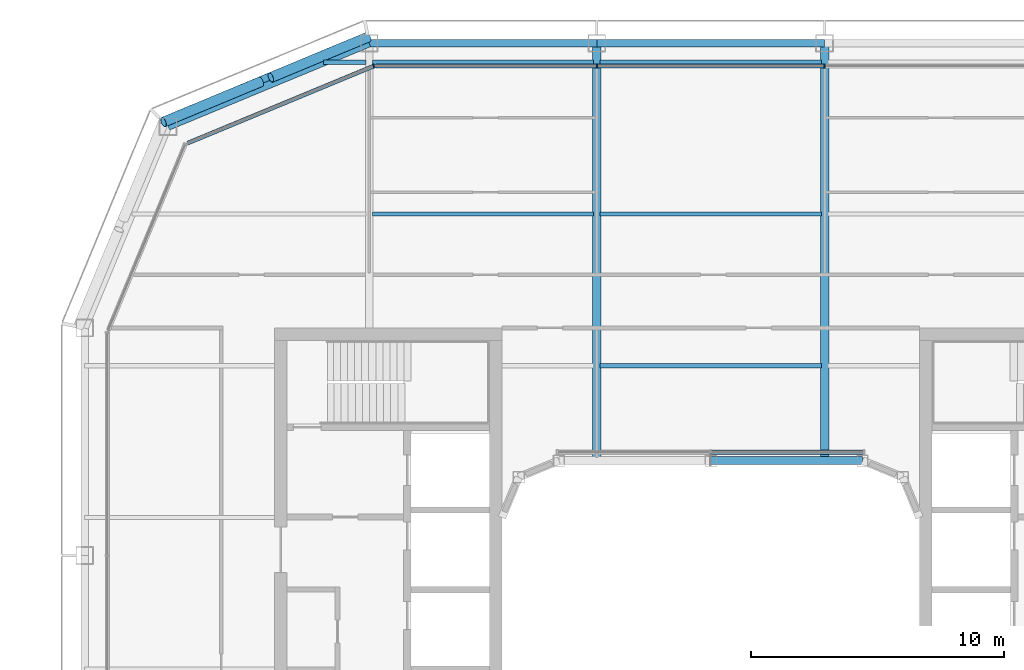
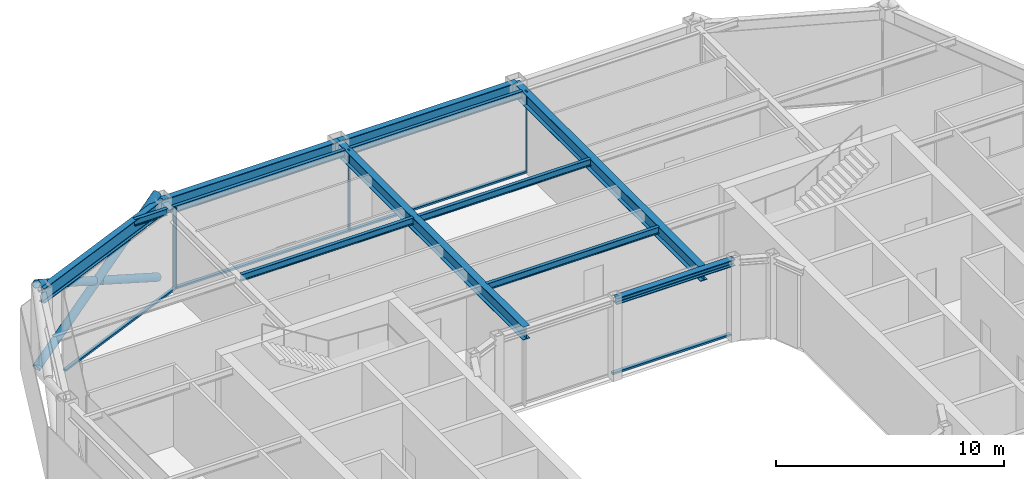
# One storey, part 8 of 21: 12 beams, 10 members, 3 elements without a shape of their own.
"""IFC4 building model written with IfcOpenShell, lengths in metres."""

from ifc_helpers import new_model, si_unit, direction, frame, origin, origin_2d, place, context, subcontext, project, spatial, rectangle, hollow_circle, i_section, extrude, material, layer, layer_set, material_profile, profile_set, type_object, element, aggregate, save


model = new_model("IFC4")

# Units and contexts
model_context = context("Model", 3, precision=1e-05, world=origin(), true_north=direction((0.0, 1.0)))
body_context = subcontext(model_context, "Body", "Model", "MODEL_VIEW")
ifc_project = project(units=[si_unit("LENGTHUNIT", "METRE"), si_unit("AREAUNIT", "SQUARE_METRE"), si_unit("VOLUMEUNIT", "CUBIC_METRE"), si_unit("PLANEANGLEUNIT", "RADIAN"), si_unit("MASSUNIT", "GRAM", prefix="KILO")], contexts=[model_context])

# Site, building, storey
site_placement = place(None, origin())
site = spatial("IfcSite", under=ifc_project, at=site_placement, CompositionType="ELEMENT")
building_placement = place(site_placement, origin())
building = spatial("IfcBuilding", under=site, at=building_placement, Name="Siwar Civic Tower", CompositionType="ELEMENT")
storey_placement = place(building_placement, frame((0.0, 0.0, 334.699951171875)))
storey = spatial("IfcBuildingStorey", under=building, at=storey_placement, Name="L72", CompositionType="ELEMENT", Elevation=334.699951171875)

# Curtain wall, members
ifc_material_1 = material(Name="Aluminium and glass", Category="aluminium")
ifc_layer_1 = layer(ifc_material_1, 0.159912109375)
ifc_layer_set_1 = layer_set([ifc_layer_1], Name="Aluminium and glass")
curtain_wall_type_1 = type_object("IfcCurtainWallType", Name="ENV-CW-D", PredefinedType="NOTDEFINED", material=ifc_layer_set_1)
curtain_wall_1_placement = place(storey_placement, origin())
curtain_wall_1 = element("IfcCurtainWall", 1, at=curtain_wall_1_placement, inside=storey, type_object=curtain_wall_type_1, Name="Curtain wall D N", PredefinedType="NOTDEFINED")
ifc_material_2 = material(Name="Aluminium 6063-T6", Category="aluminium")
ifc_material_profile_1 = material_profile(ifc_material_2, rectangle(XDim=0.159912109375, YDim=0.06005859375, at=origin_2d()), Name="AL 160x60")
ifc_profile_set_1 = profile_set([ifc_material_profile_1], Name="Aluminium 6063-T6")
member_type_1 = type_object("IfcMemberType", Name="ENV-MULLION-D", PredefinedType="MULLION", material=ifc_profile_set_1)
member_1_placement = place(storey_placement, frame((4.5, 23.85009765625, 0.0), z_axis=(0.0, 0.0, 1.0), x_axis=(0.0, -1.0, 0.0)))
member_1 = element("IfcMember", 2, at=member_1_placement, type_object=member_type_1, Name="Mullion D N 2", PredefinedType="MULLION", context=body_context, shape_type="SweptSolid", body=[
    extrude(rectangle(XDim=0.159912109375, YDim=0.06005859375, at=origin_2d()), origin(), (0.0, 0.0, 1.0), 4.35009765625),
])
member_2_placement = place(storey_placement, frame((-4.5, 23.85009765625, 0.0), z_axis=(0.0, 0.0, 1.0), x_axis=(0.0, -1.0, 0.0)))
member_2 = element("IfcMember", 3, at=member_2_placement, type_object=member_type_1, Name="Mullion D N 3", PredefinedType="MULLION", context=body_context, shape_type="SweptSolid", body=[
    extrude(rectangle(XDim=0.159912109375, YDim=0.06005859375, at=origin_2d()), origin(), (0.0, 0.0, 1.0), 4.35009765625),
])

# Curtain wall, member
ifc_material_3 = material(Name="Aluminium clad insulated panel", Category="aluminium")
ifc_layer_2 = layer(ifc_material_3, 0.159912109375)
ifc_layer_set_2 = layer_set([ifc_layer_2], Name="Aluminium clad insulated panel")
curtain_wall_type_2 = type_object("IfcCurtainWallType", Name="ENV-CW-DX", PredefinedType="NOTDEFINED", material=ifc_layer_set_2)
curtain_wall_2_placement = place(storey_placement, origin())
curtain_wall_2 = element("IfcCurtainWall", 4, at=curtain_wall_2_placement, inside=storey, type_object=curtain_wall_type_2, Name="Curtain wall D NW1", PredefinedType="NOTDEFINED")
member_3_placement = place(storey_placement, frame((-13.321044921875, 23.85009765625, 0.0), z_axis=(0.0, 0.0, 1.0), x_axis=(0.382683432365, -0.923879532511, 0.0)))
member_3 = element("IfcMember", 5, at=member_3_placement, type_object=member_type_1, Name="Mullion D NW1 1", PredefinedType="MULLION", context=body_context, shape_type="SweptSolid", body=[
    extrude(rectangle(XDim=0.159912109375, YDim=0.06005859375, at=origin_2d()), origin(), (0.0, 0.0, 1.0), 4.35009765625),
])

# Member
ifc_material_4 = material(Name="Aluminium 6063-T6", Category="aluminium")
ifc_material_profile_2 = material_profile(ifc_material_4, rectangle(XDim=0.159912109375, YDim=0.10009765625, at=origin_2d()), Name="AL 160x100")
ifc_profile_set_2 = profile_set([ifc_material_profile_2], Name="Aluminium 6063-T6")
member_type_2 = type_object("IfcMemberType", Name="ENV-TRANSOM-D", PredefinedType="USERDEFINED", material=ifc_profile_set_2)
member_4_placement = place(storey_placement, frame((4.469970703125, 23.85009765625, 0.050048828125), z_axis=(-1.0, 0.0, 0.0), x_axis=(0.0, -1.0, 0.0)))
member_4 = element("IfcMember", 6, at=member_4_placement, type_object=member_type_2, Name="Transom D N 2", ObjectType="TRANSOM", PredefinedType="USERDEFINED", context=body_context, shape_type="SweptSolid", body=[
    extrude(rectangle(XDim=0.159912109375, YDim=0.10009765625, at=origin_2d()), origin(), (0.0, 0.0, 1.0), 8.93994140625),
])

member_5_placement = place(storey_placement, frame((-4.530029296875, 23.85009765625, 0.050048828125), z_axis=(-1.0, 0.0, 0.0), x_axis=(0.0, -1.0, 0.0)))
member_5 = element("IfcMember", 7, at=member_5_placement, type_object=member_type_2, Name="Transom D N 3", ObjectType="TRANSOM", PredefinedType="USERDEFINED", context=body_context, shape_type="SweptSolid", body=[
    extrude(rectangle(XDim=0.159912109375, YDim=0.10009765625, at=origin_2d()), origin(), (0.0, 0.0, 1.0), 8.693115234375),
])

aggregate(curtain_wall_1, [member_1, member_2, member_4, member_5])

member_6_placement = place(storey_placement, frame((-13.3486328125, 23.838623046875, 0.050048828125), z_axis=(-0.923872756612, -0.382699790424, 0.0), x_axis=(0.382699790424, -0.923872756612, 0.0)))
member_6 = element("IfcMember", 8, at=member_6_placement, type_object=member_type_2, Name="Transom D NW1 1", ObjectType="TRANSOM", PredefinedType="USERDEFINED", context=body_context, shape_type="SweptSolid", body=[
    extrude(rectangle(XDim=0.159912109375, YDim=0.10009765625, at=origin_2d()), origin(), (0.0, 0.0, 1.0), 7.930908203125),
])

aggregate(curtain_wall_2, [member_3, member_6])

# Curtain wall, member
ifc_material_5 = material(Name="Aluminium and glass", Category="aluminium")
ifc_layer_3 = layer(ifc_material_5, 0.179931640625)
ifc_layer_set_3 = layer_set([ifc_layer_3], Name="Aluminium and glass")
curtain_wall_type_3 = type_object("IfcCurtainWallType", Name="ENV-CW-W", PredefinedType="NOTDEFINED", material=ifc_layer_set_3)
curtain_wall_3_placement = place(storey_placement, origin())
curtain_wall_3 = element("IfcCurtainWall", 9, at=curtain_wall_3_placement, inside=storey, type_object=curtain_wall_type_3, Name="Curtain wall W WN", PredefinedType="NOTDEFINED")
ifc_material_6 = material(Name="Aluminium 6063-T6", Category="aluminium")
ifc_material_profile_3 = material_profile(ifc_material_6, rectangle(XDim=0.179931640625, YDim=0.10009765625, at=origin_2d()), Name="AL 180x100")
ifc_profile_set_3 = profile_set([ifc_material_profile_3], Name="Aluminium 6063-T6")
member_type_3 = type_object("IfcMemberType", Name="ENV-TRANSOM-W", PredefinedType="USERDEFINED", material=ifc_profile_set_3)
member_7_placement = place(storey_placement, frame((6.03662109375, 8.5849609375, 0.050048828125), z_axis=(-1.0, 0.0, 0.0), x_axis=(0.0, -1.0, 0.0)))
member_7 = element("IfcMember", 10, at=member_7_placement, type_object=member_type_3, Name="Transom W WN 1", ObjectType="TRANSOM", PredefinedType="USERDEFINED", context=body_context, shape_type="SweptSolid", body=[
    extrude(rectangle(XDim=0.179931640625, YDim=0.10009765625, at=origin_2d()), origin(), (0.0, 0.0, 1.0), 6.006591796875),
])
aggregate(curtain_wall_3, [member_7])

# Members
ifc_material_7 = material(Name="Steel S355", Category="steel")
ifc_material_profile_4 = material_profile(ifc_material_7, hollow_circle(Radius=0.203125, WallThickness=0.01611328125, at=origin_2d()), Name="CHS406.4x16")
ifc_profile_set_4 = profile_set([ifc_material_profile_4], Name="Steel S355")
member_type_4 = type_object("IfcMemberType", Name="STR-BR-CHS406.4x16", PredefinedType="BRACE", material=ifc_profile_set_4)
member_8_placement = place(storey_placement, frame((-21.6318359375, 21.6318359375, 0.0), z_axis=(0.821142553604, 0.341671493852, 0.457149315816), x_axis=(-0.384163874976, 0.923264922524, 0.0)))
element("IfcMember", 11, at=member_8_placement, inside=storey, type_object=member_type_4, Name="L72/brc/DNW1-11-0-0", PredefinedType="BRACE", context=body_context, shape_type="SweptSolid", body=[
    extrude(hollow_circle(Radius=0.203125, WallThickness=0.01611328125, at=origin_2d()), origin(), (0.0, 0.0, 1.0), 9.843505859375),
])
for number, where, z_axis, x_axis, name in (
    (12, (-13.548828125, 24.9951171875, 0.0), (-0.821130093572, -0.341659024948, 0.45718101459), (0.384156893273, -0.923267827529, 0.0), "L72/brc/DNW1-11-0-4"),
    (13, (-17.791259765625, 23.229736328125, 2.362060546875), (-0.821166691915, -0.341652533125, 0.457120127208), (0.38413607648, -0.923276488787, 0.0), "L72/brc/DNW1-11-0-5"),
):
    element("IfcMember", number, at=place(storey_placement, frame(where, z_axis=z_axis, x_axis=x_axis)), inside=storey, type_object=member_type_4, Name=name, PredefinedType="BRACE", context=body_context, shape_type="SweptSolid", body=[
        extrude(hollow_circle(Radius=0.203125, WallThickness=0.01611328125, at=origin_2d()), origin(), (0.0, 0.0, 1.0), 4.677001953125),
    ])

# Beams
ifc_material_8 = material(Name="Steel S355", Category="steel")
ifc_material_profile_5 = material_profile(ifc_material_8, i_section(OverallWidth=0.169921875, OverallDepth=0.360107421875, WebThickness=0.008056640625, FlangeThickness=0.0126953125, FilletRadius=0.01806640625, at=origin_2d()), Name="IPE360")
ifc_profile_set_5 = profile_set([ifc_material_profile_5], Name="Steel S355")
beam_type_1 = type_object("IfcBeamType", Name="STR-FB-IPE360", PredefinedType="JOIST", material=ifc_profile_set_5)
for number, where, z_axis, x_axis, name in (
    (14, (-4.3701171875, 12.0, 4.170166015625), (1.0, 0.0, 0.0), (0.0, 1.0, 0.0), "L72/bm/F024"),
    (15, (-13.3701171875, 18.0, 4.170166015625), (1.0, 0.0, 0.0), (0.0, 1.0, 0.0), "L72/bm/F028"),
    (16, (-4.3701171875, 18.0, 4.170166015625), (1.0, 0.0, 0.0), (0.0, 1.0, 0.0), "L72/bm/F029"),
):
    element("IfcBeam", number, at=place(storey_placement, frame(where, z_axis=z_axis, x_axis=x_axis)), inside=storey, type_object=beam_type_1, Name=name, PredefinedType="JOIST", context=body_context, shape_type="SweptSolid", body=[
        extrude(i_section(OverallWidth=0.169921875, OverallDepth=0.360107421875, WebThickness=0.008056640625, FlangeThickness=0.0126953125, FilletRadius=0.01806640625, at=origin_2d()), origin(), (0.0, 0.0, 1.0), 8.740234375),
    ])
beam_1_placement = place(storey_placement, frame((-15.310546875, 24.0, 4.170166015625), z_axis=(1.0, 0.0, 0.0), x_axis=(0.0, 1.0, 0.0)))
element("IfcBeam", 17, at=beam_1_placement, inside=storey, type_object=beam_type_1, Name="L72/bm/F032", PredefinedType="JOIST", context=body_context, shape_type="SweptSolid", body=[
    extrude(i_section(OverallWidth=0.169921875, OverallDepth=0.360107421875, WebThickness=0.008056640625, FlangeThickness=0.0126953125, FilletRadius=0.01806640625, at=origin_2d()), origin(), (0.0, 0.0, 1.0), 1.6806640625),
])
for number, where, z_axis, x_axis, name in (
    (18, (-13.3701171875, 24.0, 4.170166015625), (1.0, 0.0, 0.0), (0.0, 1.0, 0.0), "L72/bm/F033"),
    (19, (-4.3701171875, 24.0, 4.170166015625), (1.0, 0.0, 0.0), (0.0, 1.0, 0.0), "L72/bm/F034"),
):
    element("IfcBeam", number, at=place(storey_placement, frame(where, z_axis=z_axis, x_axis=x_axis)), inside=storey, type_object=beam_type_1, Name=name, PredefinedType="JOIST", context=body_context, shape_type="SweptSolid", body=[
        extrude(i_section(OverallWidth=0.169921875, OverallDepth=0.360107421875, WebThickness=0.008056640625, FlangeThickness=0.0126953125, FilletRadius=0.01806640625, at=origin_2d()), origin(), (0.0, 0.0, 1.0), 8.740234375),
    ])
ifc_material_9 = material(Name="Steel S355", Category="steel")
ifc_material_profile_6 = material_profile(ifc_material_9, i_section(OverallWidth=0.340087890625, OverallDepth=0.699951171875, WebThickness=0.013916015625, FlangeThickness=0.030029296875, at=origin_2d()), Name="PG700x340x14x30")
ifc_profile_set_6 = profile_set([ifc_material_profile_6], Name="Steel S355")
beam_type_2 = type_object("IfcBeamType", Name="STR-PG-PG700x340x14x30", PredefinedType="BEAM", material=ifc_profile_set_6)
for number, where, z_axis, x_axis, name in (
    (20, (-4.5, 8.25, 4.0), (0.0, 1.0, 0.0), (-1.0, 0.0, 0.0), "L72/bm/G04"),
    (21, (4.5, 8.25, 4.0), (0.0, 1.0, 0.0), (-1.0, 0.0, 0.0), "L72/bm/G06"),
):
    element("IfcBeam", number, at=place(storey_placement, frame(where, z_axis=z_axis, x_axis=x_axis)), inside=storey, type_object=beam_type_2, Name=name, PredefinedType="BEAM", context=body_context, shape_type="SweptSolid", body=[
        extrude(i_section(OverallWidth=0.340087890625, OverallDepth=0.699951171875, WebThickness=0.013916015625, FlangeThickness=0.030029296875, at=origin_2d()), origin(), (0.0, 0.0, 1.0), 16.5),
    ])
ifc_material_10 = material(Name="Steel S355", Category="steel")
ifc_material_profile_7 = material_profile(ifc_material_10, i_section(OverallWidth=0.31005859375, OverallDepth=0.340087890625, WebThickness=0.02099609375, FlangeThickness=0.0390625, FilletRadius=0.027099609375, at=origin_2d()), Name="HEM300")
ifc_profile_set_7 = profile_set([ifc_material_profile_7], Name="Steel S355")
beam_type_3 = type_object("IfcBeamType", Name="STR-RB-HEM300", PredefinedType="BEAM", material=ifc_profile_set_7)
beam_2_placement = place(storey_placement, frame((0.0, 8.25, 4.179931640625), z_axis=(1.0, 0.0, 0.0), x_axis=(0.0, 1.0, 0.0)))
element("IfcBeam", 22, at=beam_2_placement, inside=storey, type_object=beam_type_3, Name="L72/bm/RN2", PredefinedType="BEAM", context=body_context, shape_type="SweptSolid", body=[
    extrude(i_section(OverallWidth=0.31005859375, OverallDepth=0.340087890625, WebThickness=0.02099609375, FlangeThickness=0.0390625, FilletRadius=0.027099609375, at=origin_2d()), origin(), (0.0, 0.0, 1.0), 6.0),
])
ifc_material_11 = material(Name="Steel S355", Category="steel")
ifc_material_profile_8 = material_profile(ifc_material_11, i_section(OverallWidth=0.300048828125, OverallDepth=0.800048828125, WebThickness=0.017578125, FlangeThickness=0.032958984375, FilletRadius=0.030029296875, at=origin_2d()), Name="HEB800")
ifc_profile_set_8 = profile_set([ifc_material_profile_8], Name="Steel S355")
beam_type_4 = type_object("IfcBeamType", Name="STR-SB-HEB800", PredefinedType="BEAM", material=ifc_profile_set_8)
for number, where, z_axis, x_axis, name in (
    (23, (4.5, 24.75, 3.949951171875), (-1.0, 0.0, 0.0), (0.0, -1.0, 0.0), "L72/bm/SN-1"),
    (24, (-4.5, 24.75, 3.949951171875), (-1.0, 0.0, 0.0), (0.0, -1.0, 0.0), "L72/bm/SN-2"),
):
    element("IfcBeam", number, at=place(storey_placement, frame(where, z_axis=z_axis, x_axis=x_axis)), inside=storey, type_object=beam_type_4, Name=name, PredefinedType="BEAM", context=body_context, shape_type="SweptSolid", body=[
        extrude(i_section(OverallWidth=0.300048828125, OverallDepth=0.800048828125, WebThickness=0.017578125, FlangeThickness=0.032958984375, FilletRadius=0.030029296875, at=origin_2d()), origin(), (0.0, 0.0, 1.0), 9.0),
    ])
beam_3_placement = place(storey_placement, frame((-13.5, 24.75, 3.949951171875), z_axis=(-0.923872720536, -0.382699877515, 0.0), x_axis=(0.382699877515, -0.923872720536, 0.0)))
element("IfcBeam", 25, at=beam_3_placement, inside=storey, type_object=beam_type_4, Name="L72/bm/SNW1-0", PredefinedType="BEAM", context=body_context, shape_type="SweptSolid", body=[
    extrude(i_section(OverallWidth=0.300048828125, OverallDepth=0.800048828125, WebThickness=0.017578125, FlangeThickness=0.032958984375, FilletRadius=0.030029296875, at=origin_2d()), origin(), (0.0, 0.0, 1.0), 8.6103515625),
])

save(model, "model.ifc")
